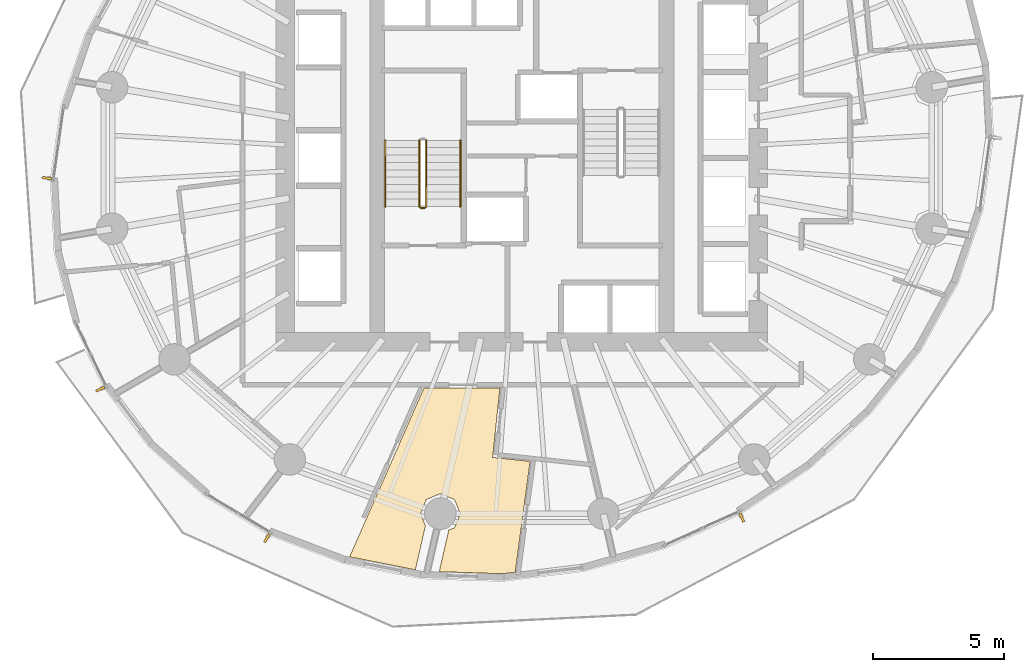
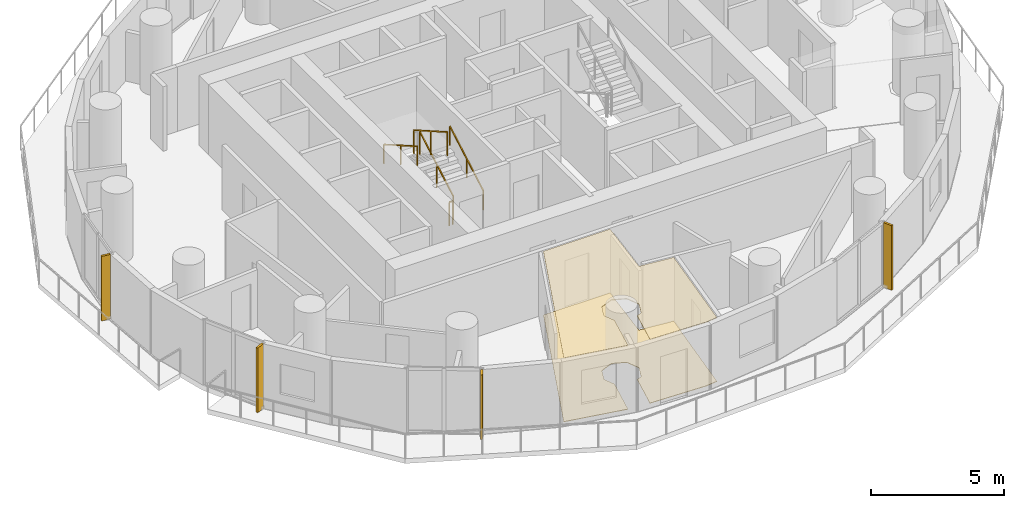
# One storey, part 11 of 14: 5 railings, 4 shading devices, 2 coverings.
"""IFC4 building model written with IfcOpenShell, lengths in metres."""

from ifc_helpers import new_model, si_unit, direction, frame, origin, origin_2d, place, context, subcontext, project, spatial, polyline, rectangle, outline, extrude, material, layer, layer_set, type_object, element, save


model = new_model("IFC4")

# Units and contexts
model_context = context("Model", 3, precision=1e-05, world=origin(), true_north=direction((0.0, 1.0)))
body_context = subcontext(model_context, "Body", "Model", "MODEL_VIEW")
ifc_project = project(units=[si_unit("LENGTHUNIT", "METRE"), si_unit("AREAUNIT", "SQUARE_METRE"), si_unit("VOLUMEUNIT", "CUBIC_METRE"), si_unit("PLANEANGLEUNIT", "RADIAN"), si_unit("MASSUNIT", "GRAM", prefix="KILO")], contexts=[model_context])

# Site, building, storey
site_placement = place(None, origin())
site = spatial("IfcSite", under=ifc_project, at=site_placement, CompositionType="ELEMENT")
building_placement = place(site_placement, origin())
building = spatial("IfcBuilding", under=site, at=building_placement, Name="Veldorim Arch Residences", CompositionType="ELEMENT")
storey_placement = place(building_placement, frame((0.0, 0.0, 83.679931640625)))
storey = spatial("IfcBuildingStorey", under=building, at=storey_placement, Name="L24", CompositionType="ELEMENT", Elevation=83.679931640625)

# Railings
ifc_material_1 = material(Name="Steel S355", Category="steel")
railing_type_1 = type_object("IfcRailingType", Name="Galvanised Steel Stair Safety Guardrail 1100", PredefinedType="GUARDRAIL", material=ifc_material_1)
railing_1_placement = place(storey_placement, frame((28.360107421875, 22.14990234375, 0.16015625)))
element("IfcRailing", 1, at=railing_1_placement, inside=storey, type_object=railing_type_1, Name="L24 ST-1 stair guard 1", PredefinedType="GUARDRAIL", context=body_context, shape_type="SweptSolid", body=[
    extrude(rectangle(XDim=0.048095703125, YDim=0.048095703125, at=origin_2d()), frame((0.0, 0.0, 1.076171875), z_axis=(0.0, 0.868253494771, 0.496120820787), x_axis=(-1.0, 0.0, 0.0)), (0.0, 0.0, 1.0), 2.90234375),
    extrude(rectangle(XDim=0.0419921875, YDim=0.0419921875, at=origin_2d()), origin(), (0.0, 0.0, 1.0), 1.052001953125),
    extrude(rectangle(XDim=0.0419921875, YDim=0.0419921875, at=origin_2d()), frame((0.0, 1.260009765625, 0.719970703125)), (0.0, 0.0, 1.0), 1.052001953125),
    extrude(rectangle(XDim=0.0419921875, YDim=0.0419921875, at=origin_2d()), frame((0.0, 2.52001953125, 1.43994140625)), (0.0, 0.0, 1.0), 1.052001953125),
])
railing_2_placement = place(storey_placement, frame((28.10009765625, 24.669921875, 1.760009765625)))
element("IfcRailing", 2, at=railing_2_placement, inside=storey, type_object=railing_type_1, Name="L24 ST-1 stair guard 3", PredefinedType="GUARDRAIL", context=body_context, shape_type="SweptSolid", body=[
    extrude(rectangle(XDim=0.048095703125, YDim=0.048095703125, at=origin_2d()), frame((0.0, 0.0, 1.076171875), z_axis=(0.0, -0.868253494771, 0.496120820787), x_axis=(1.0, 0.0, 0.0)), (0.0, 0.0, 1.0), 2.90234375),
    extrude(rectangle(XDim=0.0419921875, YDim=0.0419921875, at=origin_2d()), origin(), (0.0, 0.0, 1.0), 1.052001953125),
    extrude(rectangle(XDim=0.0419921875, YDim=0.0419921875, at=origin_2d()), frame((0.0, -1.260009765625, 0.719970703125)), (0.0, 0.0, 1.0), 1.052001953125),
    extrude(rectangle(XDim=0.0419921875, YDim=0.0419921875, at=origin_2d()), frame((0.0, -2.52001953125, 1.43994140625)), (0.0, 0.0, 1.0), 1.052001953125),
])
railing_3_placement = place(storey_placement, frame((28.31005859375, 22.10009765625, 0.0)))
element("IfcRailing", 3, at=railing_3_placement, inside=storey, type_object=railing_type_1, Name="L24 ST-1 stair guard 4", PredefinedType="GUARDRAIL", context=body_context, shape_type="SweptSolid", body=[
    extrude(rectangle(XDim=0.048095703125, YDim=0.048095703125, at=origin_2d()), frame((0.0, 0.0, 1.076171875), z_axis=(-1.0, 0.0, 0.0), x_axis=(0.0, -1.0, 0.0)), (0.0, 0.0, 1.0), 0.16015625),
    extrude(rectangle(XDim=0.0419921875, YDim=0.0419921875, at=origin_2d()), origin(), (0.0, 0.0, 1.0), 1.052001953125),
    extrude(rectangle(XDim=0.0419921875, YDim=0.0419921875, at=origin_2d()), frame((-0.16015625, 0.0, 0.0)), (0.0, 0.0, 1.0), 1.052001953125),
])

# Coverings
ifc_material_2 = material(Name="Acoustic Gypsum & Mineral Fibre", Category="gypsum")
ifc_layer_1 = layer(ifc_material_2, 0.034912109375, Name="Perforated Acoustic Mineral-Fibre Ceiling 35")
ifc_layer_set_1 = layer_set([ifc_layer_1], Name="Acoustic Gypsum & Mineral Fibre")
covering_type_1 = type_object("IfcCoveringType", Name="Perforated Acoustic Mineral-Fibre Ceiling 35", PredefinedType="CEILING", material=ifc_layer_set_1)
covering_1_placement = place(storey_placement, frame((0.0, 0.0, 2.905029296875)))
element("IfcCovering", 4, at=covering_1_placement, inside=storey, type_object=covering_type_1, Name="L24 acoustic suspended ceiling 01", PredefinedType="CEILING", context=body_context, shape_type="SweptSolid", body=[
    extrude(outline(polyline([(27.94677734375, 8.32861328125), (25.442626953125, 8.8212890625), (28.275390625, 15.25), (31.1650390625, 15.25), (30.8857421875, 12.6064453125), (32.31201171875, 12.455810546875), (31.74609375, 8.23779296875), (31.26171875, 8.177734375), (28.853515625, 8.256591796875), (29.2158203125, 9.8369140625), (29.435302734375, 9.927978515625), (29.657958984375, 10.465087890625), (29.435302734375, 11.00244140625), (28.898193359375, 11.22509765625), (28.36083984375, 11.00244140625), (28.13818359375, 10.465087890625), (28.330078125, 10.001708984375), (27.94677734375, 8.32861328125)])), origin(), (0.0, 0.0, 1.0), 0.03515625),
])
ifc_material_3 = material(Name="Porcelain Ceramic Tile", Category="ceramic")
ifc_layer_2 = layer(ifc_material_3, 0.02001953125, Name="Slip-Resistant Porcelain & Vinyl Floor Finish 20")
ifc_layer_set_2 = layer_set([ifc_layer_2], Name="Porcelain Ceramic Tile")
covering_type_2 = type_object("IfcCoveringType", Name="Slip-Resistant Porcelain & Vinyl Floor Finish 20", PredefinedType="FLOORING", material=ifc_layer_set_2)
covering_2_placement = place(storey_placement, origin())
element("IfcCovering", 5, at=covering_2_placement, inside=storey, type_object=covering_type_2, Name="L24 porcelain floor finish 01", PredefinedType="FLOORING", context=body_context, shape_type="SweptSolid", body=[
    extrude(outline(polyline([(27.94677734375, 8.32861328125), (25.442626953125, 8.8212890625), (28.275390625, 15.25), (31.1650390625, 15.25), (30.8857421875, 12.6064453125), (32.31201171875, 12.455810546875), (31.74609375, 8.23779296875), (31.26171875, 8.177734375), (28.853515625, 8.256591796875), (29.2158203125, 9.8369140625), (29.435302734375, 9.927978515625), (29.657958984375, 10.465087890625), (29.435302734375, 11.00244140625), (28.898193359375, 11.22509765625), (28.36083984375, 11.00244140625), (28.13818359375, 10.465087890625), (28.330078125, 10.001708984375), (27.94677734375, 8.32861328125)])), origin(), (0.0, 0.0, 1.0), 0.02001953125),
])

# Railings
ifc_material_4 = material(Name="Stainless Steel", Category="steel")
railing_type_2 = type_object("IfcRailingType", Name="Tubular Steel Continuous Wall Handrail 900", PredefinedType="HANDRAIL", material=ifc_material_4)
railing_4_placement = place(storey_placement, frame((29.659912109375, 22.14990234375, 0.16015625)))
element("IfcRailing", 6, at=railing_4_placement, inside=storey, type_object=railing_type_2, Name="L24 ST-1 stair handrail 1", PredefinedType="HANDRAIL", context=body_context, shape_type="SweptSolid", body=[
    extrude(rectangle(XDim=0.048095703125, YDim=0.048095703125, at=origin_2d()), frame((0.0, 0.0, 0.8759765625), z_axis=(0.0, 0.868253494771, 0.496120820787), x_axis=(-1.0, 0.0, 0.0)), (0.0, 0.0, 1.0), 2.90234375),
    extrude(rectangle(XDim=0.0419921875, YDim=0.0419921875, at=origin_2d()), origin(), (0.0, 0.0, 1.0), 0.851806640625),
    extrude(rectangle(XDim=0.0419921875, YDim=0.0419921875, at=origin_2d()), frame((0.0, 1.260009765625, 0.719970703125)), (0.0, 0.0, 1.0), 0.851806640625),
    extrude(rectangle(XDim=0.0419921875, YDim=0.0419921875, at=origin_2d()), frame((0.0, 2.52001953125, 1.43994140625)), (0.0, 0.0, 1.0), 0.851806640625),
])
railing_5_placement = place(storey_placement, frame((26.800048828125, 24.669921875, 1.760009765625)))
element("IfcRailing", 7, at=railing_5_placement, inside=storey, type_object=railing_type_2, Name="L24 ST-1 stair handrail 2", PredefinedType="HANDRAIL", context=body_context, shape_type="SweptSolid", body=[
    extrude(rectangle(XDim=0.048095703125, YDim=0.048095703125, at=origin_2d()), frame((0.0, 0.0, 0.8759765625), z_axis=(0.0, -0.868253494771, 0.496120820787), x_axis=(1.0, 0.0, 0.0)), (0.0, 0.0, 1.0), 2.90234375),
    extrude(rectangle(XDim=0.0419921875, YDim=0.0419921875, at=origin_2d()), origin(), (0.0, 0.0, 1.0), 0.851806640625),
    extrude(rectangle(XDim=0.0419921875, YDim=0.0419921875, at=origin_2d()), frame((0.0, -1.260009765625, 0.719970703125)), (0.0, 0.0, 1.0), 0.851806640625),
    extrude(rectangle(XDim=0.0419921875, YDim=0.0419921875, at=origin_2d()), frame((0.0, -2.52001953125, 1.43994140625)), (0.0, 0.0, 1.0), 0.851806640625),
])

# Shading devices
ifc_material_5 = material(Name="Terracotta Ceramic", Category="masonry")
ifc_layer_3 = layer(ifc_material_5, 0.090087890625, Name="Vertical Extruded Terracotta Baguette Sun-Shading Fin")
ifc_layer_set_3 = layer_set([ifc_layer_3], Name="Terracotta Ceramic")
shading_device_type = type_object("IfcShadingDeviceType", Name="Vertical Extruded Terracotta Baguette Sun-Shading Fin", PredefinedType="USERDEFINED", material=ifc_layer_set_3)
for number, where, z_axis, x_axis, name in (
    (8, (13.921630859375, 23.234375, 0.0), (0.0, 0.0, 1.0), (0.14055563991, 0.990072781208, 0.0), "L24 vertical terracotta sun-shading fin 16"),
    (9, (15.955322265625, 15.203125, 0.0), (0.0, 0.0, 1.0), (-0.437115766651, 0.899405251566, 0.0), "L24 vertical terracotta sun-shading fin 19"),
    (10, (22.29833984375, 9.5341796875, 0.0), (0.0, 0.0, 1.0), (-0.857616429769, 0.514289859311, 0.0), "L24 vertical terracotta sun-shading fin 22"),
    (11, (40.369384765625, 10.316650390625, 0.0), (0.0, 0.0, 1.0), (-0.909961270877, -0.414693242656, 0.0), "L24 vertical terracotta sun-shading fin 28"),
):
    element("IfcShadingDevice", number, at=place(storey_placement, frame(where, z_axis=z_axis, x_axis=x_axis)), inside=storey, type_object=shading_device_type, Name=name, ObjectType="FIN", PredefinedType="USERDEFINED", context=body_context, shape_type="SweptSolid", body=[
        extrude(rectangle(XDim=0.090087890625, YDim=0.360107421875, at=origin_2d()), origin(), (0.0, 0.0, 1.0), 2.9599609375),
    ])

save(model, "model.ifc")
